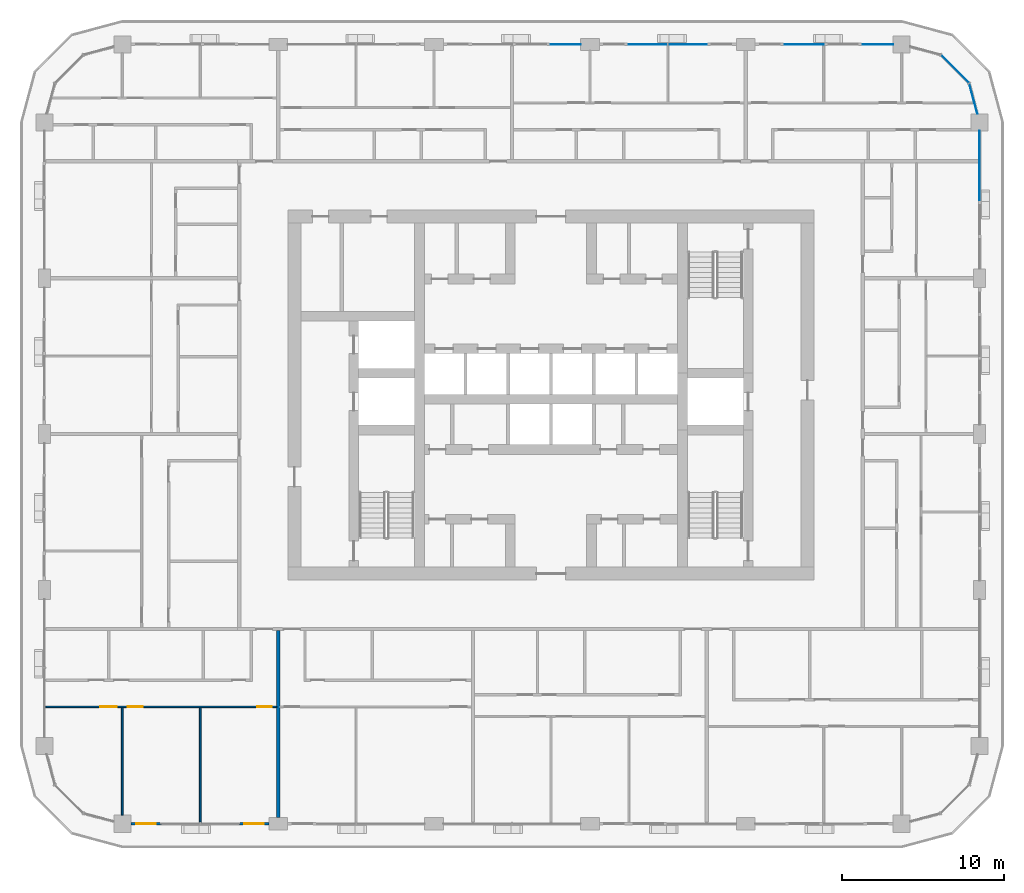
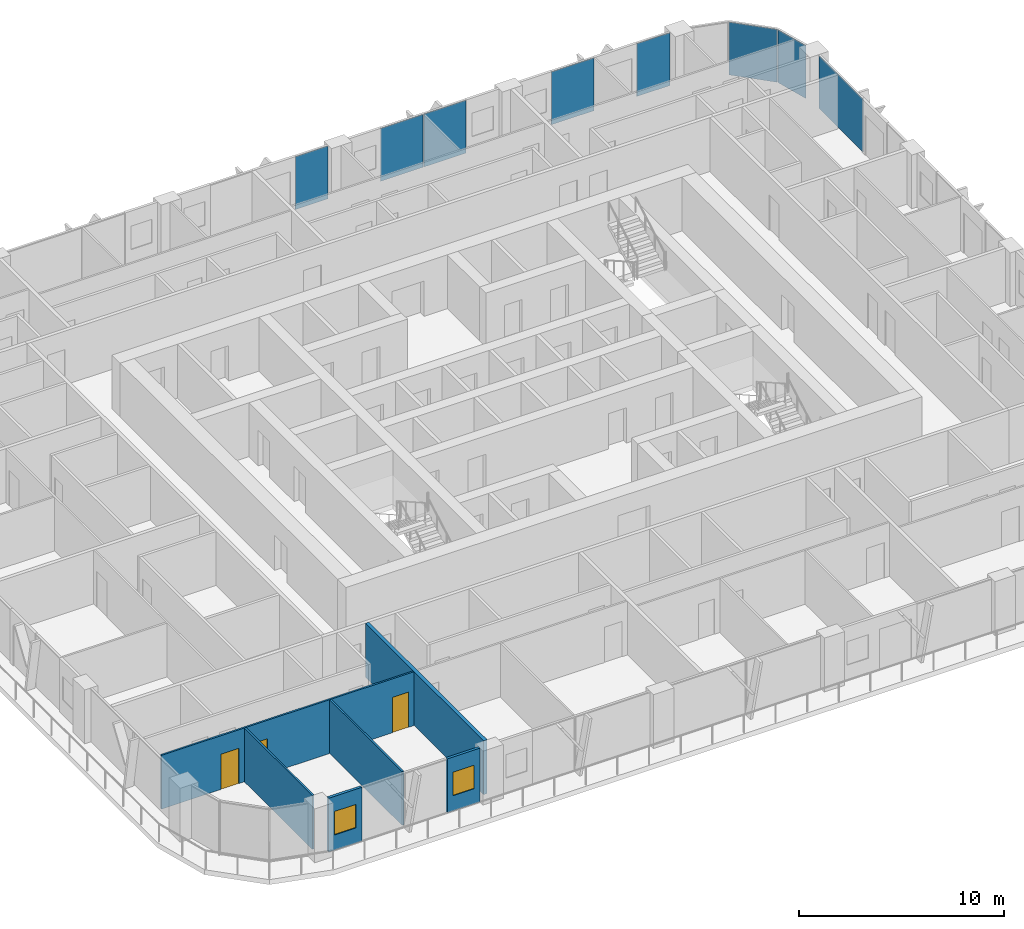
# One storey, part 8 of 22: 8 plates, 6 walls, 3 doors, 2 windows, 5 openings, 5 elements without a shape of their own.
"""IFC4 building model written with IfcOpenShell, lengths in metres."""

from ifc_helpers import new_model, si_unit, direction, frame, frame_2d, origin, origin_2d, place, context, subcontext, project, spatial, rectangle, extrude, material, layer, layer_set, type_object, element, fill, aggregate, save


model = new_model("IFC4")

# Units and contexts
model_context = context("Model", 3, precision=1e-05, world=origin(), true_north=direction((0.0, 1.0)))
body_context = subcontext(model_context, "Body", "Model", "MODEL_VIEW")
ifc_project = project(units=[si_unit("LENGTHUNIT", "METRE"), si_unit("AREAUNIT", "SQUARE_METRE"), si_unit("VOLUMEUNIT", "CUBIC_METRE"), si_unit("PLANEANGLEUNIT", "RADIAN"), si_unit("MASSUNIT", "GRAM", prefix="KILO")], contexts=[model_context])

# Site, building, storey
site_placement = place(None, origin())
site = spatial("IfcSite", under=ifc_project, at=site_placement, CompositionType="ELEMENT")
building_placement = place(site_placement, origin())
building = spatial("IfcBuilding", under=site, at=building_placement, Name="Madar Terraces", CompositionType="ELEMENT")
storey_placement = place(building_placement, frame((0.0, 0.0, 156.0)))
storey = spatial("IfcBuildingStorey", under=building, at=storey_placement, Name="L40", CompositionType="ELEMENT", Elevation=156.0)

# Curtain wall, plate
ifc_material_1 = material(Name="Glass, ceramic frit dark grey, with black aluminium frame", Category="aluminium")
ifc_layer_1 = layer(ifc_material_1, 0.199951171875)
ifc_layer_set_1 = layer_set([ifc_layer_1], Name="Facade curtain wall, fritted glass")
curtain_wall_type = type_object("IfcCurtainWallType", Name="Facade curtain wall, fritted glass", PredefinedType="NOTDEFINED", material=ifc_layer_set_1)
curtain_wall_1_placement = place(storey_placement, origin())
curtain_wall_1 = element("IfcCurtainWall", 1, at=curtain_wall_1_placement, inside=storey, type_object=curtain_wall_type, Name="Outer skin curtain wall east bay 4", PredefinedType="NOTDEFINED")
ifc_material_2 = material(Name="Glass, ceramic frit dark grey", Category="glass")
ifc_layer_2 = layer(ifc_material_2, 0.028076171875)
ifc_layer_set_2 = layer_set([ifc_layer_2], Name="Facade glass panel 28")
plate_type = type_object("IfcPlateType", Name="Facade glass panel 28", PredefinedType="CURTAIN_PANEL", material=ifc_layer_set_2)
plate_1_placement = place(storey_placement, frame((57.60009765625, 40.53759765625, 0.0), z_axis=(0.0, 0.0, 1.0), x_axis=(0.0, 1.0, 0.0)))
plate_1 = element("IfcPlate", 2, at=plate_1_placement, type_object=plate_type, Name="Panel 2", PredefinedType="CURTAIN_PANEL", context=body_context, shape_type="SweptSolid", body=[
    extrude(rectangle(XDim=4.27490234375, YDim=0.028076171875, at=origin_2d()), origin(), (0.0, 0.0, 1.0), 3.139892578125),
])
aggregate(curtain_wall_1, [plate_1])

# Curtain wall, plates
curtain_wall_2_placement = place(storey_placement, origin())
curtain_wall_2 = element("IfcCurtainWall", 3, at=curtain_wall_2_placement, inside=storey, type_object=curtain_wall_type, Name="Outer skin curtain wall north bay 1", PredefinedType="NOTDEFINED")
plate_2_placement = place(storey_placement, frame((51.33740234375, 48.0, 0.0), z_axis=(0.0, 0.0, 1.0), x_axis=(-1.0, 0.0, 0.0)))
plate_2 = element("IfcPlate", 4, at=plate_2_placement, type_object=plate_type, Name="Panel 1", PredefinedType="CURTAIN_PANEL", context=body_context, shape_type="SweptSolid", body=[
    extrude(rectangle(XDim=1.875, YDim=0.028076171875, at=origin_2d()), origin(), (0.0, 0.0, 1.0), 3.139892578125),
])
plate_3_placement = place(storey_placement, frame((46.800048828125, 48.0, 0.0), z_axis=(0.0, 0.0, 1.0), x_axis=(-1.0, 0.0, 0.0)))
plate_3 = element("IfcPlate", 5, at=plate_3_placement, type_object=plate_type, Name="Panel 2", PredefinedType="CURTAIN_PANEL", context=body_context, shape_type="SweptSolid", body=[
    extrude(rectangle(XDim=2.39990234375, YDim=0.028076171875, at=origin_2d()), origin(), (0.0, 0.0, 1.0), 3.139892578125),
])
aggregate(curtain_wall_2, [plate_2, plate_3])

curtain_wall_3_placement = place(storey_placement, origin())
curtain_wall_3 = element("IfcCurtainWall", 6, at=curtain_wall_3_placement, inside=storey, type_object=curtain_wall_type, Name="Outer skin curtain wall north bay 2", PredefinedType="NOTDEFINED")
plate_4_placement = place(storey_placement, frame((39.614990234375, 48.0, 0.0), z_axis=(0.0, 0.0, 1.0), x_axis=(-1.0, 0.0, 0.0)))
plate_4 = element("IfcPlate", 7, at=plate_4_placement, type_object=plate_type, Name="Panel 1", PredefinedType="CURTAIN_PANEL", context=body_context, shape_type="SweptSolid", body=[
    extrude(rectangle(XDim=2.3701171875, YDim=0.028076171875, at=origin_2d()), origin(), (0.0, 0.0, 1.0), 3.139892578125),
])
plate_5_placement = place(storey_placement, frame((37.18505859375, 48.0, 0.0), z_axis=(0.0, 0.0, 1.0), x_axis=(-1.0, 0.0, 0.0)))
plate_5 = element("IfcPlate", 8, at=plate_5_placement, type_object=plate_type, Name="Panel 2", PredefinedType="CURTAIN_PANEL", context=body_context, shape_type="SweptSolid", body=[
    extrude(rectangle(XDim=2.3701171875, YDim=0.028076171875, at=origin_2d()), origin(), (0.0, 0.0, 1.0), 3.139892578125),
])
aggregate(curtain_wall_3, [plate_4, plate_5])

# Curtain wall, plate
curtain_wall_4_placement = place(storey_placement, origin())
curtain_wall_4 = element("IfcCurtainWall", 9, at=curtain_wall_4_placement, inside=storey, type_object=curtain_wall_type, Name="Outer skin curtain wall north bay 3", PredefinedType="NOTDEFINED")
plate_6_placement = place(storey_placement, frame((32.112548828125, 48.0, 0.0), z_axis=(0.0, 0.0, 1.0), x_axis=(-1.0, 0.0, 0.0)))
plate_6 = element("IfcPlate", 10, at=plate_6_placement, type_object=plate_type, Name="Panel 1", PredefinedType="CURTAIN_PANEL", context=body_context, shape_type="SweptSolid", body=[
    extrude(rectangle(XDim=1.824951171875, YDim=0.028076171875, at=origin_2d()), origin(), (0.0, 0.0, 1.0), 3.139892578125),
])
aggregate(curtain_wall_4, [plate_6])

# Curtain wall, plates
curtain_wall_5_placement = place(storey_placement, origin())
curtain_wall_5 = element("IfcCurtainWall", 11, at=curtain_wall_5_placement, inside=storey, type_object=curtain_wall_type, Name="Outer skin curtain wall north-east corner", PredefinedType="NOTDEFINED")
plate_7_placement = place(storey_placement, frame((57.2119140625, 44.64794921875, 0.0), z_axis=(0.0, 0.0, 1.0), x_axis=(-0.258819021888, 0.965925832509, 0.0)))
plate_7 = element("IfcPlate", 12, at=plate_7_placement, type_object=plate_type, Name="Panel 1", PredefinedType="CURTAIN_PANEL", context=body_context, shape_type="SweptSolid", body=[
    extrude(rectangle(XDim=1.9111328125, YDim=0.028076171875, at=origin_2d()), origin(), (0.0, 0.0, 1.0), 3.139892578125),
])
plate_8_placement = place(storey_placement, frame((56.078369140625, 46.478515625, 0.0), z_axis=(0.0, 0.0, 1.0), x_axis=(-0.707106781187, 0.707106781187, 0.0)))
plate_8 = element("IfcPlate", 13, at=plate_8_placement, type_object=plate_type, Name="Panel 2", PredefinedType="CURTAIN_PANEL", context=body_context, shape_type="SweptSolid", body=[
    extrude(rectangle(XDim=2.424560546875, YDim=0.028076171875, at=origin_2d()), origin(), (0.0, 0.0, 1.0), 3.139892578125),
])
aggregate(curtain_wall_5, [plate_7, plate_8])

# Wall, opening, window
ifc_material_3 = material(Name="Aluminium composite panel, black, over insulated backing", Category="aluminium")
ifc_layer_3 = layer(ifc_material_3, 0.14990234375)
ifc_layer_set_3 = layer_set([ifc_layer_3], Name="Facade bay panel 150")
wall_type_1 = type_object("IfcWallType", Name="Facade bay panel 150", PredefinedType="SOLIDWALL", material=ifc_layer_set_3)
wall_1_placement = place(storey_placement, frame((5.324951171875, 0.0, 0.0), z_axis=(0.0, 0.0, 1.0), x_axis=(1.0, 0.0, 0.0)))
wall_1 = element("IfcWall", 14, at=wall_1_placement, inside=storey, type_object=wall_type_1, Name="Facade bay panel", PredefinedType="SOLIDWALL", context=body_context, shape_type="SweptSolid", body=[
    extrude(rectangle(XDim=1.875, YDim=0.14990234375, at=frame_2d((0.9375, 0.0))), origin(), (0.0, 0.0, 1.0), 3.199951171875),
])
opening_1_placement = place(wall_1_placement, frame((0.33740234375, 0.0, 0.89990234375)))
opening_1 = element("IfcOpeningElement", 15, at=opening_1_placement, cuts=wall_1, Name="Opening W1", PredefinedType="OPENING", context=body_context, shape_type="SweptSolid", body=[
    extrude(rectangle(XDim=1.199951171875, YDim=1.39990234375, at=frame_2d((0.60009765625, 0.699951171875))), frame((0.0, 0.0849609375, 0.0), z_axis=(0.0, -1.0, 0.0), x_axis=(1.0, 0.0, 0.0)), (0.0, 0.0, 1.0), 0.169921875),
])
ifc_material_4 = material(Name="Glass, clear, with black aluminium frame", Category="aluminium")
window_type = type_object("IfcWindowType", Name="Vent window 1200 x 1400", PartitioningType="SINGLE_PANEL", PredefinedType="WINDOW", material=ifc_material_4)
window_1_placement = place(opening_1_placement, origin())
window_1 = element("IfcWindow", 16, at=window_1_placement, inside=storey, type_object=window_type, Name="Operable vent window", OverallHeight=1.39990234375, OverallWidth=1.199951171875, PartitioningType="SINGLE_PANEL", PredefinedType="WINDOW", context=body_context, shape_type="SweptSolid", body=[
    extrude(rectangle(XDim=1.199951171875, YDim=1.39990234375, at=frame_2d((0.60009765625, 0.699951171875))), frame((0.0, 0.030029296875, 0.0), z_axis=(0.0, -1.0, 0.0), x_axis=(1.0, 0.0, 0.0)), (0.0, 0.0, 1.0), 0.06005859375),
])
fill(opening_1, window_1)

wall_2_placement = place(storey_placement, frame((12.0, 0.0, 0.0), z_axis=(0.0, 0.0, 1.0), x_axis=(1.0, 0.0, 0.0)))
wall_2 = element("IfcWall", 17, at=wall_2_placement, inside=storey, type_object=wall_type_1, Name="Facade bay panel", PredefinedType="SOLIDWALL", context=body_context, shape_type="SweptSolid", body=[
    extrude(rectangle(XDim=1.824951171875, YDim=0.14990234375, at=frame_2d((0.91259765625, 0.0))), origin(), (0.0, 0.0, 1.0), 3.199951171875),
])
opening_2_placement = place(wall_2_placement, frame((0.3125, 0.0, 0.89990234375)))
opening_2 = element("IfcOpeningElement", 18, at=opening_2_placement, cuts=wall_2, Name="Opening W1", PredefinedType="OPENING", context=body_context, shape_type="SweptSolid", body=[
    extrude(rectangle(XDim=1.199951171875, YDim=1.39990234375, at=frame_2d((0.60009765625, 0.699951171875))), frame((0.0, 0.0849609375, 0.0), z_axis=(0.0, -1.0, 0.0), x_axis=(1.0, 0.0, 0.0)), (0.0, 0.0, 1.0), 0.169921875),
])
window_2_placement = place(opening_2_placement, origin())
window_2 = element("IfcWindow", 19, at=window_2_placement, inside=storey, type_object=window_type, Name="Operable vent window", OverallHeight=1.39990234375, OverallWidth=1.199951171875, PartitioningType="SINGLE_PANEL", PredefinedType="WINDOW", context=body_context, shape_type="SweptSolid", body=[
    extrude(rectangle(XDim=1.199951171875, YDim=1.39990234375, at=frame_2d((0.60009765625, 0.699951171875))), frame((0.0, 0.030029296875, 0.0), z_axis=(0.0, -1.0, 0.0), x_axis=(1.0, 0.0, 0.0)), (0.0, 0.0, 1.0), 0.06005859375),
])
fill(opening_2, window_2)

# Walls
ifc_material_5 = material(Name="Gypsum board on steel studs", Category="steel")
ifc_layer_4 = layer(ifc_material_5, 0.10009765625)
ifc_layer_set_4 = layer_set([ifc_layer_4], Name="Flat partition 100")
wall_type_2 = type_object("IfcWallType", Name="Flat partition 100", PredefinedType="PARTITIONING", material=ifc_layer_set_4)
wall_3_placement = place(storey_placement, frame((9.60009765625, 7.14990234375, 0.0), z_axis=(0.0, 0.0, 1.0), x_axis=(0.0, -1.0, 0.0)))
element("IfcWall", 20, at=wall_3_placement, inside=storey, type_object=wall_type_2, Name="Flat partition 100", PredefinedType="PARTITIONING", context=body_context, shape_type="SweptSolid", body=[
    extrude(rectangle(XDim=7.0498046875, YDim=0.10009765625, at=frame_2d((3.52490234375, 0.0))), origin(), (0.0, 0.0, 1.0), 3.199951171875),
])
wall_4_placement = place(storey_placement, frame((4.800048828125, 7.14990234375, 0.0), z_axis=(0.0, 0.0, 1.0), x_axis=(0.0, -1.0, 0.0)))
element("IfcWall", 21, at=wall_4_placement, inside=storey, type_object=wall_type_2, Name="Flat partition 100", PredefinedType="PARTITIONING", context=body_context, shape_type="SweptSolid", body=[
    extrude(rectangle(XDim=6.625, YDim=0.10009765625, at=frame_2d((3.3125, 0.0))), origin(), (0.0, 0.0, 1.0), 3.199951171875),
])

# Wall, openings, doors
wall_5_placement = place(storey_placement, frame((14.300048828125, 7.199951171875, 0.0), z_axis=(0.0, 0.0, 1.0), x_axis=(-1.0, 0.0, 0.0)))
wall_5 = element("IfcWall", 22, at=wall_5_placement, inside=storey, type_object=wall_type_2, Name="Flat partition 100", PredefinedType="PARTITIONING", context=body_context, shape_type="SweptSolid", body=[
    extrude(rectangle(XDim=14.199951171875, YDim=0.10009765625, at=frame_2d((7.10009765625, 0.0))), origin(), (0.0, 0.0, 1.0), 3.199951171875),
])
opening_3_placement = place(wall_5_placement, frame((0.300048828125, 0.0, 0.0)))
opening_3 = element("IfcOpeningElement", 23, at=opening_3_placement, cuts=wall_5, Name="Opening D2", PredefinedType="OPENING", context=body_context, shape_type="SweptSolid", body=[
    extrude(rectangle(XDim=0.89990234375, YDim=2.10009765625, at=frame_2d((0.449951171875, 1.050048828125))), frame((0.0, 0.06005859375, 0.0), z_axis=(0.0, -1.0, 0.0), x_axis=(1.0, 0.0, 0.0)), (0.0, 0.0, 1.0), 0.1201171875),
])
opening_4_placement = place(wall_5_placement, frame((8.25, 0.0, 0.0)))
opening_4 = element("IfcOpeningElement", 24, at=opening_4_placement, cuts=wall_5, Name="Opening D2", PredefinedType="OPENING", context=body_context, shape_type="SweptSolid", body=[
    extrude(rectangle(XDim=0.89990234375, YDim=2.10009765625, at=frame_2d((0.449951171875, 1.050048828125))), frame((0.0, 0.06005859375, 0.0), z_axis=(0.0, -1.0, 0.0), x_axis=(1.0, 0.0, 0.0)), (0.0, 0.0, 1.0), 0.1201171875),
])
opening_5_placement = place(wall_5_placement, frame((9.85009765625, 0.0, 0.0)))
opening_5 = element("IfcOpeningElement", 25, at=opening_5_placement, cuts=wall_5, Name="Opening D3", PredefinedType="OPENING", context=body_context, shape_type="SweptSolid", body=[
    extrude(rectangle(XDim=1.0, YDim=2.10009765625, at=frame_2d((0.5, 1.050048828125))), frame((0.0, 0.06005859375, 0.0), z_axis=(0.0, -1.0, 0.0), x_axis=(1.0, 0.0, 0.0)), (0.0, 0.0, 1.0), 0.1201171875),
])
ifc_material_6 = material(Name="Timber door leaf", Category="wood")
door_type_1 = type_object("IfcDoorType", Name="Flat living room door 1000", OperationType="NOTDEFINED", PredefinedType="DOOR", material=ifc_material_6)
door_1_placement = place(opening_5_placement, origin())
door_1 = element("IfcDoor", 26, at=door_1_placement, inside=storey, type_object=door_type_1, Name="Flat living room door 1000", OperationType="SINGLE_SWING_LEFT", OverallHeight=2.10009765625, OverallWidth=1.0, PredefinedType="DOOR", context=body_context, shape_type="SweptSolid", body=[
    extrude(rectangle(XDim=1.0, YDim=2.10009765625, at=frame_2d((0.5, 1.050048828125))), frame((0.0, 0.02490234375, 0.0), z_axis=(0.0, -1.0, 0.0), x_axis=(1.0, 0.0, 0.0)), (0.0, 0.0, 1.0), 0.050048828125),
])
fill(opening_5, door_1)
ifc_material_7 = material(Name="Timber door leaf", Category="wood")
door_type_2 = type_object("IfcDoorType", Name="Flat room door 900", OperationType="NOTDEFINED", PredefinedType="DOOR", material=ifc_material_7)
door_2_placement = place(opening_3_placement, origin())
door_2 = element("IfcDoor", 27, at=door_2_placement, inside=storey, type_object=door_type_2, Name="Flat room door 900", OperationType="SINGLE_SWING_LEFT", OverallHeight=2.10009765625, OverallWidth=0.89990234375, PredefinedType="DOOR", context=body_context, shape_type="SweptSolid", body=[
    extrude(rectangle(XDim=0.89990234375, YDim=2.10009765625, at=frame_2d((0.449951171875, 1.050048828125))), frame((0.0, 0.02490234375, 0.0), z_axis=(0.0, -1.0, 0.0), x_axis=(1.0, 0.0, 0.0)), (0.0, 0.0, 1.0), 0.050048828125),
])
fill(opening_3, door_2)
door_3_placement = place(opening_4_placement, origin())
door_3 = element("IfcDoor", 28, at=door_3_placement, inside=storey, type_object=door_type_2, Name="Flat room door 900", OperationType="SINGLE_SWING_RIGHT", OverallHeight=2.10009765625, OverallWidth=0.89990234375, PredefinedType="DOOR", context=body_context, shape_type="SweptSolid", body=[
    extrude(rectangle(XDim=0.89990234375, YDim=2.10009765625, at=frame_2d((0.449951171875, 1.050048828125))), frame((0.0, 0.02490234375, 0.0), z_axis=(0.0, -1.0, 0.0), x_axis=(1.0, 0.0, 0.0)), (0.0, 0.0, 1.0), 0.050048828125),
])
fill(opening_4, door_3)

# Wall
ifc_material_8 = material(Name="Lightweight blockwork", Category="masonry")
ifc_layer_5 = layer(ifc_material_8, 0.199951171875)
ifc_layer_set_5 = layer_set([ifc_layer_5], Name="Flat party and entrance wall 200")
wall_type_3 = type_object("IfcWallType", Name="Flat party and entrance wall 200", PredefinedType="PARTITIONING", material=ifc_layer_set_5)
wall_6_placement = place(storey_placement, frame((14.39990234375, 11.89990234375, 0.0), z_axis=(0.0, 0.0, 1.0), x_axis=(0.0, -1.0, 0.0)))
element("IfcWall", 29, at=wall_6_placement, inside=storey, type_object=wall_type_3, Name="Flat party and entrance wall 200", PredefinedType="PARTITIONING", context=body_context, shape_type="SweptSolid", body=[
    extrude(rectangle(XDim=11.52490234375, YDim=0.199951171875, at=frame_2d((5.762451171875, 0.0))), origin(), (0.0, 0.0, 1.0), 3.199951171875),
])

save(model, "model.ifc")
